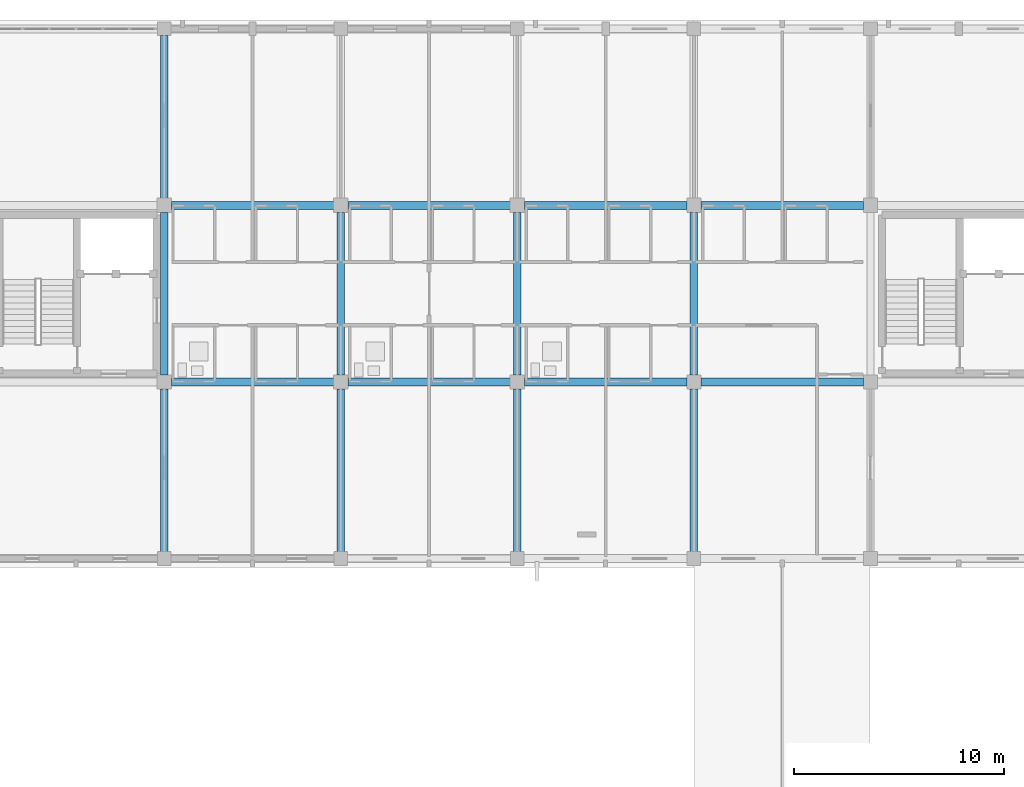
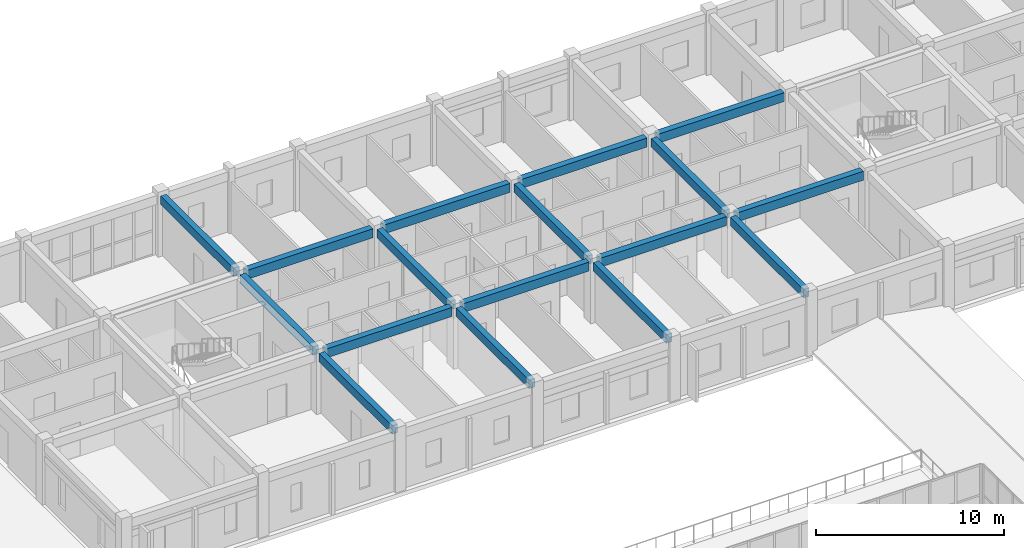
# One storey, part 42 of 90: 17 beams.
"""IFC4 building model written with IfcOpenShell, lengths in metres."""

from ifc_helpers import new_model, si_unit, direction, frame, origin, origin_2d, place, context, subcontext, project, spatial, rectangle, extrude, material, material_profile, profile_set, type_object, element, save


model = new_model("IFC4")

# Units and contexts
model_context = context("Model", 3, precision=1e-05, world=origin(), true_north=direction((0.0, 1.0)))
body_context = subcontext(model_context, "Body", "Model", "MODEL_VIEW")
ifc_project = project(units=[si_unit("LENGTHUNIT", "METRE"), si_unit("AREAUNIT", "SQUARE_METRE"), si_unit("VOLUMEUNIT", "CUBIC_METRE"), si_unit("PLANEANGLEUNIT", "RADIAN"), si_unit("MASSUNIT", "GRAM", prefix="KILO")], contexts=[model_context])

# Site, building, storey
site_placement = place(None, origin())
site = spatial("IfcSite", under=ifc_project, at=site_placement, CompositionType="ELEMENT")
building_placement = place(site_placement, origin())
building = spatial("IfcBuilding", under=site, at=building_placement, Name="Trelvath General Hospital", CompositionType="ELEMENT")
storey_placement = place(building_placement, frame((0.0, 0.0, 20.39990234375)))
storey = spatial("IfcBuildingStorey", under=building, at=storey_placement, Name="L05", CompositionType="ELEMENT", Elevation=20.39990234375)

# Beams
ifc_material_1 = material(Name="Concrete C35/45", Category="concrete")
ifc_material_profile_1 = material_profile(ifc_material_1, rectangle(XDim=0.35009765625, YDim=0.550048828125, at=origin_2d()), Name="RCB350x550")
ifc_profile_set_1 = profile_set([ifc_material_profile_1], Name="Concrete C35/45")
beam_type_1 = type_object("IfcBeamType", Name="Beam RC350x550", PredefinedType="BEAM", material=ifc_profile_set_1)
beam_1_placement = place(storey_placement, frame((50.39990234375, 92.719970703125, 3.64501953125), z_axis=(0.0, 1.0, 0.0), x_axis=(-1.0, 0.0, 0.0)))
element("IfcBeam", 1, at=beam_1_placement, inside=storey, type_object=beam_type_1, Name="Grid Beam BY-506L", PredefinedType="BEAM", context=body_context, shape_type="SweptSolid", body=[
    extrude(rectangle(XDim=0.35009765625, YDim=0.550048828125, at=origin_2d()), origin(), (0.0, 0.0, 1.0), 7.7451171875),
])
beam_2_placement = place(storey_placement, frame((50.39990234375, 101.135009765625, 3.64501953125), z_axis=(0.0, 1.0, 0.0), x_axis=(-1.0, 0.0, 0.0)))
element("IfcBeam", 2, at=beam_2_placement, inside=storey, type_object=beam_type_1, Name="Grid Beam BY-506M", PredefinedType="BEAM", context=body_context, shape_type="SweptSolid", body=[
    extrude(rectangle(XDim=0.35009765625, YDim=0.550048828125, at=origin_2d()), origin(), (0.0, 0.0, 1.0), 7.72998046875),
])
for number, where, z_axis, x_axis, name in (
    (3, (50.39990234375, 109.534912109375, 3.64501953125), (0.0, 1.0, 0.0), (-1.0, 0.0, 0.0), "Grid Beam BY-506N"),
    (4, (58.800048828125, 92.719970703125, 3.64501953125), (0.0, 1.0, 0.0), (-1.0, 0.0, 0.0), "Grid Beam BY-507L"),
):
    element("IfcBeam", number, at=place(storey_placement, frame(where, z_axis=z_axis, x_axis=x_axis)), inside=storey, type_object=beam_type_1, Name=name, PredefinedType="BEAM", context=body_context, shape_type="SweptSolid", body=[
        extrude(rectangle(XDim=0.35009765625, YDim=0.550048828125, at=origin_2d()), origin(), (0.0, 0.0, 1.0), 7.7451171875),
    ])
beam_3_placement = place(storey_placement, frame((58.800048828125, 101.135009765625, 3.64501953125), z_axis=(0.0, 1.0, 0.0), x_axis=(-1.0, 0.0, 0.0)))
element("IfcBeam", 5, at=beam_3_placement, inside=storey, type_object=beam_type_1, Name="Grid Beam BY-507M", PredefinedType="BEAM", context=body_context, shape_type="SweptSolid", body=[
    extrude(rectangle(XDim=0.35009765625, YDim=0.550048828125, at=origin_2d()), origin(), (0.0, 0.0, 1.0), 7.72998046875),
])
beam_4_placement = place(storey_placement, frame((67.199951171875, 92.719970703125, 3.64501953125), z_axis=(0.0, 1.0, 0.0), x_axis=(-1.0, 0.0, 0.0)))
element("IfcBeam", 6, at=beam_4_placement, inside=storey, type_object=beam_type_1, Name="Grid Beam BY-508L", PredefinedType="BEAM", context=body_context, shape_type="SweptSolid", body=[
    extrude(rectangle(XDim=0.35009765625, YDim=0.550048828125, at=origin_2d()), origin(), (0.0, 0.0, 1.0), 7.7451171875),
])
beam_5_placement = place(storey_placement, frame((67.199951171875, 101.135009765625, 3.64501953125), z_axis=(0.0, 1.0, 0.0), x_axis=(-1.0, 0.0, 0.0)))
element("IfcBeam", 7, at=beam_5_placement, inside=storey, type_object=beam_type_1, Name="Grid Beam BY-508M", PredefinedType="BEAM", context=body_context, shape_type="SweptSolid", body=[
    extrude(rectangle(XDim=0.35009765625, YDim=0.550048828125, at=origin_2d()), origin(), (0.0, 0.0, 1.0), 7.72998046875),
])
beam_6_placement = place(storey_placement, frame((75.60009765625, 92.719970703125, 3.64501953125), z_axis=(0.0, 1.0, 0.0), x_axis=(-1.0, 0.0, 0.0)))
element("IfcBeam", 8, at=beam_6_placement, inside=storey, type_object=beam_type_1, Name="Grid Beam BY-509L", PredefinedType="BEAM", context=body_context, shape_type="SweptSolid", body=[
    extrude(rectangle(XDim=0.35009765625, YDim=0.550048828125, at=origin_2d()), origin(), (0.0, 0.0, 1.0), 7.7451171875),
])
beam_7_placement = place(storey_placement, frame((75.60009765625, 101.135009765625, 3.64501953125), z_axis=(0.0, 1.0, 0.0), x_axis=(-1.0, 0.0, 0.0)))
element("IfcBeam", 9, at=beam_7_placement, inside=storey, type_object=beam_type_1, Name="Grid Beam BY-509M", PredefinedType="BEAM", context=body_context, shape_type="SweptSolid", body=[
    extrude(rectangle(XDim=0.35009765625, YDim=0.550048828125, at=origin_2d()), origin(), (0.0, 0.0, 1.0), 7.72998046875),
])
ifc_material_2 = material(Name="Concrete C35/45", Category="concrete")
ifc_material_profile_2 = material_profile(ifc_material_2, rectangle(XDim=0.3798828125, YDim=0.580078125, at=origin_2d()), Name="RCB380x580")
ifc_profile_set_2 = profile_set([ifc_material_profile_2], Name="Concrete C35/45")
beam_type_2 = type_object("IfcBeamType", Name="Beam RC380x580", PredefinedType="BEAM", material=ifc_profile_set_2)
for number, where, z_axis, x_axis, name in (
    (10, (50.735107421875, 100.800048828125, 3.630126953125), (1.0, 0.0, 0.0), (0.0, 1.0, 0.0), "Grid Beam BX-506M"),
    (11, (50.735107421875, 109.199951171875, 3.630126953125), (1.0, 0.0, 0.0), (0.0, 1.0, 0.0), "Grid Beam BX-506N"),
    (12, (59.135009765625, 100.800048828125, 3.630126953125), (1.0, 0.0, 0.0), (0.0, 1.0, 0.0), "Grid Beam BX-507M"),
    (13, (59.135009765625, 109.199951171875, 3.630126953125), (1.0, 0.0, 0.0), (0.0, 1.0, 0.0), "Grid Beam BX-507N"),
    (14, (67.534912109375, 100.800048828125, 3.630126953125), (1.0, 0.0, 0.0), (0.0, 1.0, 0.0), "Grid Beam BX-508M"),
    (15, (67.534912109375, 109.199951171875, 3.630126953125), (1.0, 0.0, 0.0), (0.0, 1.0, 0.0), "Grid Beam BX-508N"),
    (16, (75.93505859375, 100.800048828125, 3.630126953125), (1.0, 0.0, 0.0), (0.0, 1.0, 0.0), "Grid Beam BX-509M"),
    (17, (75.93505859375, 109.199951171875, 3.630126953125), (1.0, 0.0, 0.0), (0.0, 1.0, 0.0), "Grid Beam BX-509N"),
):
    element("IfcBeam", number, at=place(storey_placement, frame(where, z_axis=z_axis, x_axis=x_axis)), inside=storey, type_object=beam_type_2, Name=name, PredefinedType="BEAM", context=body_context, shape_type="SweptSolid", body=[
        extrude(rectangle(XDim=0.3798828125, YDim=0.580078125, at=origin_2d()), origin(), (0.0, 0.0, 1.0), 7.72998046875),
    ])

save(model, "model.ifc")
